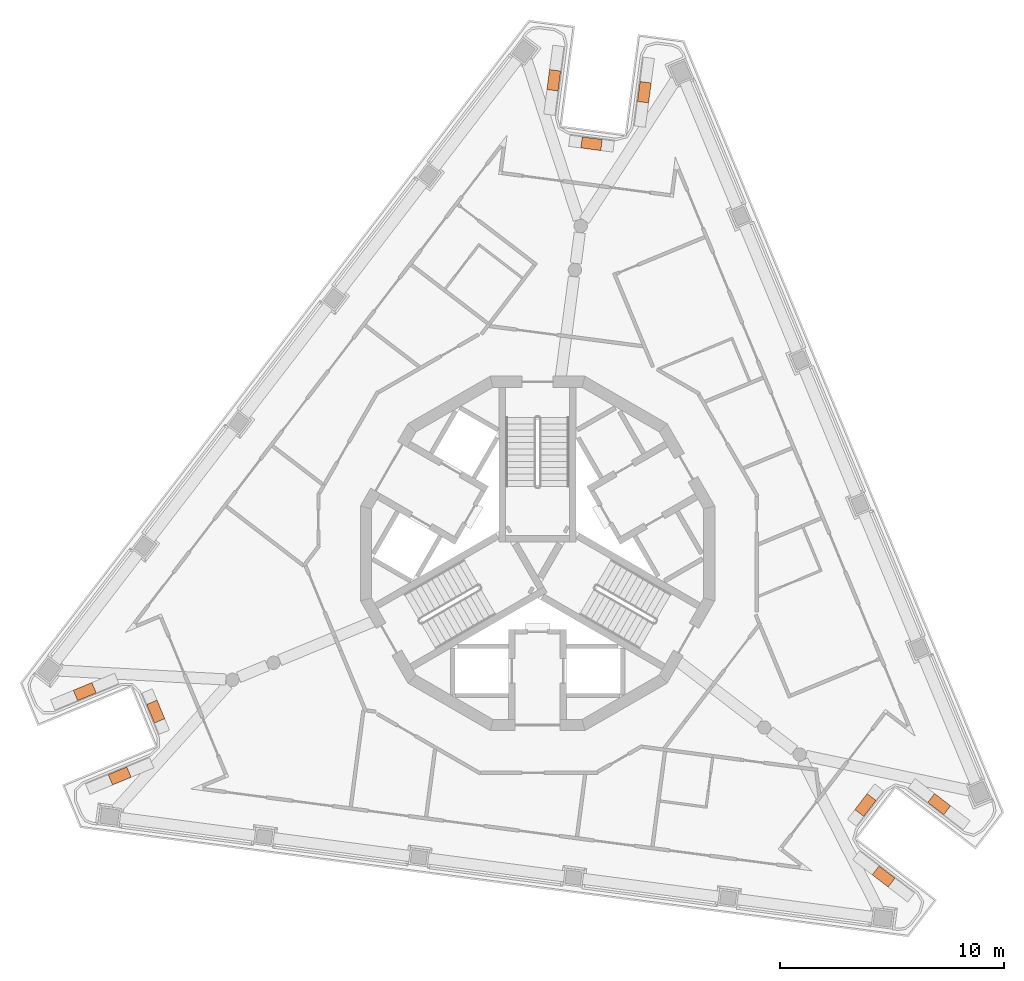
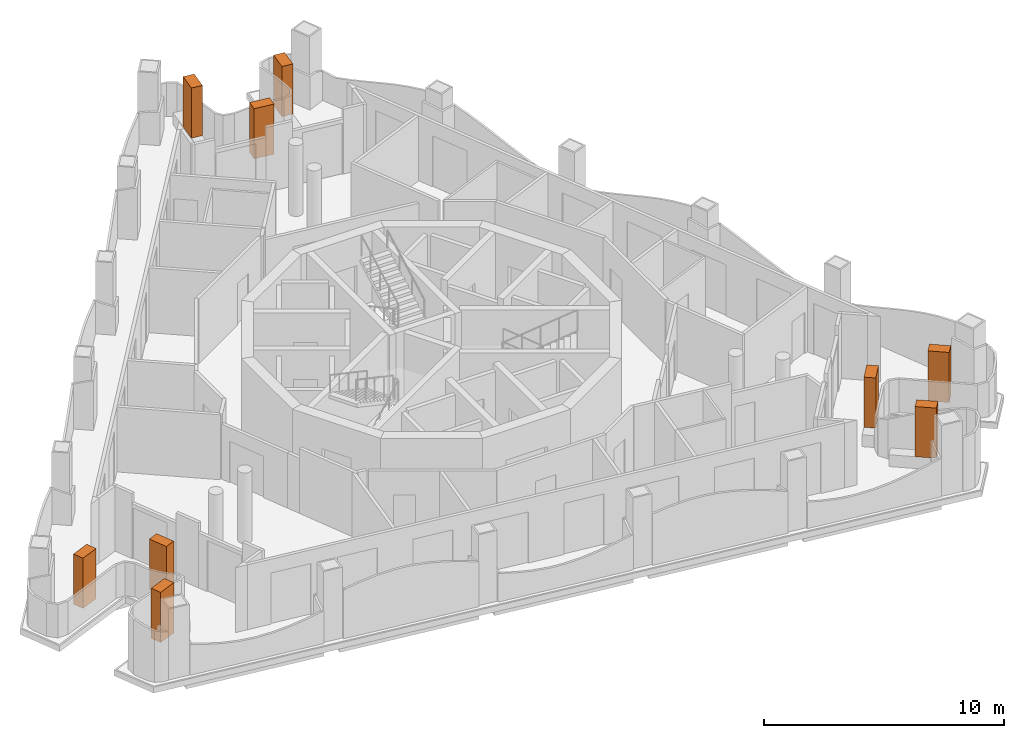
# One storey, part 12 of 12: 9 geographic elements.
"""IFC4 building model written with IfcOpenShell, lengths in metres."""

from ifc_helpers import new_model, si_unit, direction, frame, origin, origin_2d, place, context, subcontext, project, spatial, rectangle, extrude, element, save


model = new_model("IFC4")

# Units and contexts
model_context = context("Model", 3, precision=1e-05, world=origin(), true_north=direction((0.0, 1.0)))
body_context = subcontext(model_context, "Body", "Model", "MODEL_VIEW")
ifc_project = project(units=[si_unit("LENGTHUNIT", "METRE"), si_unit("AREAUNIT", "SQUARE_METRE"), si_unit("VOLUMEUNIT", "CUBIC_METRE"), si_unit("PLANEANGLEUNIT", "RADIAN"), si_unit("MASSUNIT", "GRAM", prefix="KILO")], contexts=[model_context])

# Site, building, storey
site_placement = place(None, origin())
site = spatial("IfcSite", under=ifc_project, at=site_placement, CompositionType="ELEMENT")
building_placement = place(site_placement, origin())
building = spatial("IfcBuilding", under=site, at=building_placement, Name="Trine Commons Tower", CompositionType="ELEMENT")
storey_placement = place(building_placement, frame((0.0, 0.0, 282.60009765625)))
storey = spatial("IfcBuildingStorey", under=building, at=storey_placement, Name="L74", CompositionType="ELEMENT", Elevation=282.60009765625)

# Geographic elements
for number, where, z_axis, x_axis, name in (
    (1, (61.31982421875, 52.554443359375, 0.60009765625), (0.0, 0.0, 1.0), (0.923885543575, 0.382668920052, 0.0), "Tree 1.1"),
    (2, (62.93212890625, 55.430419921875, 0.60009765625), (0.0, 0.0, 1.0), (-0.382688269782, 0.923877528773, 0.0), "Tree 2.1"),
    (3, (59.758544921875, 56.32373046875, 0.60009765625), (0.0, 0.0, 1.0), (-0.923885543575, -0.382668920052, 0.0), "Tree 3.1"),
    (4, (80.726806640625, 83.650146484375, 0.60009765625), (0.0, 0.0, 1.0), (-0.130514079426, -0.991446455978, 0.0), "Tree 4.1"),
    (5, (82.411376953125, 80.816162109375, 0.60009765625), (0.0, 0.0, 1.0), (0.991442583111, -0.130543496177, 0.0), "Tree 5.1"),
    (6, (84.77197265625, 83.11767578125, 0.60009765625), (0.0, 0.0, 1.0), (0.130517540226, 0.991446000392, 0.0), "Tree 6.1"),
    (7, (97.953125, 51.29541015625, 0.60009765625), (0.0, 0.0, 1.0), (-0.793348027815, 0.6087683523, 0.0), "Tree 7.1"),
    (8, (94.656494140625, 51.253662109375, 0.60009765625), (0.0, 0.0, 1.0), (-0.608764198331, -0.793351215308, 0.0), "Tree 8.1"),
    (9, (95.469482421875, 48.05859375, 0.60009765625), (0.0, 0.0, 1.0), (0.793348027815, -0.6087683523, 0.0), "Tree 9.1"),
):
    element("IfcGeographicElement", number, at=place(storey_placement, frame(where, z_axis=z_axis, x_axis=x_axis)), inside=storey, Name=name, ObjectType="TREE Tabebuia rosea", PredefinedType="USERDEFINED", context=body_context, shape_type="SweptSolid", body=[
        extrude(rectangle(XDim=0.89990234375, YDim=0.5, at=origin_2d()), origin(), (0.0, 0.0, 1.0), 2.550048828125),
    ])

save(model, "model.ifc")
